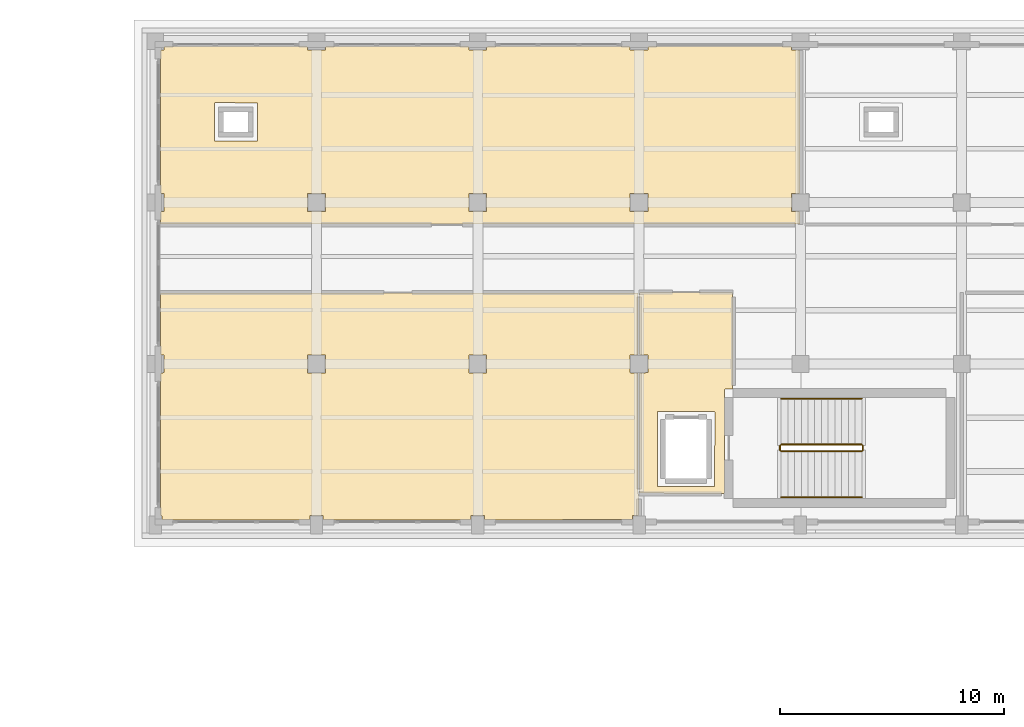
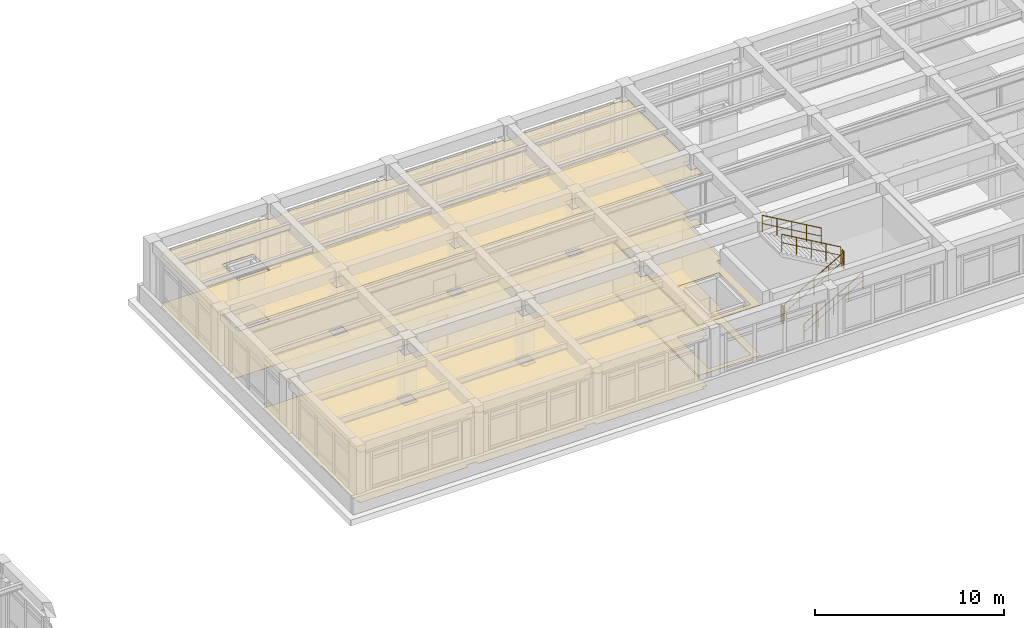
# One storey, part 65 of 67: 6 coverings, 6 railings.
"""IFC4 building model written with IfcOpenShell, lengths in metres."""

import ifcopenshell
import ifcopenshell.guid

model = None  # the IFC model being written
_history = None  # IfcOwnerHistory: only IFC2X3 demands one
_inside = {}  # id of a spatial element -> (the spatial element, [elements in it])
_under = {}  # id of a project, library or spatial element -> (it, [spatial elements below it])
_declared = {}  # id of a project -> (the project, [libraries it declares])
_typed = {}  # id of a type object -> (the type object, [elements of that type])
_made_of = {}  # id of a material, layer set ... -> (it, [elements and type objects made of it])


def new_model(schema):
    """Start an empty IFC model of exactly this schema.

    Asked for "IFC4X3", IfcOpenShell would pick the latest addendum, in which some entities
    have other attributes; the version numbers below select the first issue.
    IFC2X3 requires an IfcOwnerHistory on every rooted entity: one is made here for all.
    """
    global model, _history
    if schema == "IFC4X3":
        model = ifcopenshell.file(schema_version=(4, 3, 0, 0))
    else:
        model = ifcopenshell.file(schema=schema)
    _inside.clear()
    _under.clear()
    _declared.clear()
    _typed.clear()
    _made_of.clear()
    _history = None
    if model.schema == "IFC2X3":
        org = make("IfcOrganization", Name="unknown")
        user = make(
            "IfcPersonAndOrganization",
            ThePerson=make("IfcPerson", FamilyName="unknown"),
            TheOrganization=org,
        )
        app = make(
            "IfcApplication",
            ApplicationDeveloper=org,
            Version="unknown",
            ApplicationFullName="unknown",
            ApplicationIdentifier="unknown",
        )
        _history = make(
            "IfcOwnerHistory",
            OwningUser=user,
            OwningApplication=app,
            ChangeAction="ADDED",
            CreationDate=0,
        )
    return model


def make(cls, **values):
    """One entity of the class cls with the attributes given. An attribute that is None is left unset."""
    return model.create_entity(
        cls, **{name: value for name, value in values.items() if value is not None}
    )


def rooted(cls, **values):
    """An entity with a GlobalId (a new one), such as an element, a storey or a relation."""
    return make(cls, GlobalId=ifcopenshell.guid.new(), OwnerHistory=_history, **values)


def si_unit(unit_type, name, prefix=None):
    """IfcSIUnit, for example si_unit("LENGTHUNIT", "METRE", prefix="MILLI")."""
    return make("IfcSIUnit", UnitType=unit_type, Prefix=prefix, Name=name)


def assignment(units):
    """IfcUnitAssignment: the units of a project."""
    return None if units is None else make("IfcUnitAssignment", Units=units)


def point(xyz):
    """IfcCartesianPoint."""
    return None if xyz is None else make("IfcCartesianPoint", Coordinates=xyz)


def direction(xyz):
    """IfcDirection."""
    return None if xyz is None else make("IfcDirection", DirectionRatios=xyz)


def frame(location, z_axis=None, x_axis=None):
    """IfcAxis2Placement3D, a coordinate frame: its origin and axes. An axis left out is left unset."""
    return make(
        "IfcAxis2Placement3D",
        Location=point(location),
        Axis=direction(z_axis),
        RefDirection=direction(x_axis),
    )


def frame_2d(location, x_axis=None):
    """IfcAxis2Placement2D, a coordinate frame in the plane: its origin and x axis."""
    return make(
        "IfcAxis2Placement2D", Location=point(location), RefDirection=direction(x_axis)
    )


def origin():
    """The frame at (0, 0, 0) with its axes left unset."""
    return frame((0.0, 0.0, 0.0))


def origin_2d():
    """The frame at (0, 0) in the plane with its x axis left unset."""
    return frame_2d((0.0, 0.0))


def place(relative_to, where):
    """IfcLocalPlacement: puts the frame where relative to a parent placement (None: the world)."""
    return make(
        "IfcLocalPlacement", PlacementRelTo=relative_to, RelativePlacement=where
    )


def context(
    kind, dimensions, precision=None, world=None, true_north=None, identifier=None
):
    """IfcGeometricRepresentationContext, for example the 3D "Model" context."""
    return make(
        "IfcGeometricRepresentationContext",
        ContextIdentifier=identifier,
        ContextType=kind,
        CoordinateSpaceDimension=dimensions,
        Precision=precision,
        WorldCoordinateSystem=world,
        TrueNorth=true_north,
    )


def subcontext(parent, identifier, kind, view, scale=None):
    """IfcGeometricRepresentationSubContext, for example "Body" below "Model"."""
    return make(
        "IfcGeometricRepresentationSubContext",
        ContextIdentifier=identifier,
        ContextType=kind,
        ParentContext=parent,
        TargetScale=scale,
        TargetView=view,
    )


def project(units=None, contexts=None):
    """IfcProject with its units and contexts."""
    return rooted(
        "IfcProject",
        Name="project",
        RepresentationContexts=contexts,
        UnitsInContext=assignment(units),
    )


def spatial(cls, under=None, at=None, **own):
    """A site, building, storey or space (cls), placed at a placement, below another one or the project."""
    s = rooted(cls, ObjectPlacement=at, **own)
    if under is not None:
        _under.setdefault(under.id(), (under, []))[1].append(s)
    return s


def polyline(points):
    """IfcPolyline through the points."""
    return make("IfcPolyline", Points=[point(p) for p in points])


def profile(cls, at=None, kind="AREA", **sizes):
    """A parametric profile (cls). Its sizes go by their IFC names, for example OverallWidth=200.0."""
    return make(cls, ProfileType=kind, Position=at, **sizes)


def circle(**sizes):
    """IfcCircleProfileDef."""
    return profile("IfcCircleProfileDef", **sizes)


def outline(outer, holes=None, kind="AREA"):
    """IfcArbitraryClosedProfileDef: a profile drawn as a closed curve; with holes, ...WithVoids."""
    if holes is None:
        return make("IfcArbitraryClosedProfileDef", ProfileType=kind, OuterCurve=outer)
    return make(
        "IfcArbitraryProfileDefWithVoids",
        ProfileType=kind,
        OuterCurve=outer,
        InnerCurves=holes,
    )


def extrude(swept, where, along, depth):
    """IfcExtrudedAreaSolid: the profile swept, set in the frame where, extruded along a direction by depth."""
    return make(
        "IfcExtrudedAreaSolid",
        SweptArea=swept,
        Position=where,
        ExtrudedDirection=direction(along),
        Depth=depth,
    )


def shape(context_of_items, identifier, shape_type, items):
    """IfcShapeRepresentation: the items that make up one representation, for example the "Body"."""
    return make(
        "IfcShapeRepresentation",
        ContextOfItems=context_of_items,
        RepresentationIdentifier=identifier,
        RepresentationType=shape_type,
        Items=items,
    )


def material(Name=None, Category=None):
    """IfcMaterial."""
    return make("IfcMaterial", Name=Name, Category=Category)


def layer(
    of_material, thickness, ventilated=None, Name=None, Category=None, Priority=None
):
    """IfcMaterialLayer: one layer of a wall or slab, of a material (None: an air gap)."""
    return make(
        "IfcMaterialLayer",
        Material=of_material,
        LayerThickness=thickness,
        IsVentilated=ventilated,
        Name=Name,
        Category=Category,
        Priority=Priority,
    )


def layer_set(layers, Name=None):
    """IfcMaterialLayerSet."""
    return make("IfcMaterialLayerSet", MaterialLayers=layers, LayerSetName=Name)


def made_of(thing, what):
    """Note that an element or type object is made of a material, layer set ...; save() writes the relation."""
    if what is not None:
        _made_of.setdefault(what.id(), (what, []))[1].append(thing)
    return thing


def type_object(cls, material=None, **own):
    """A type object (cls), such as IfcWallType, which elements share."""
    return made_of(rooted(cls, **own), material)


def element(
    cls,
    number,
    at=None,
    inside=None,
    cuts=None,
    type_object=None,
    material=None,
    context=None,
    identifier="Body",
    shape_type=None,
    held_by="IfcProductDefinitionShape",
    body=None,
    shapes=None,
    **own,
):
    """One element of the class cls, such as IfcWall. Its Tag is "e" and its number.

    at: its placement. inside: the storey or other place that contains it. cuts: it is an
    opening in that element (IfcRelVoidsElement). A single representation is given by context,
    identifier, shape_type and body (its items); several are given by shapes. held_by: the class
    of the entity that holds the representations. save() writes the other relations.
    """
    e = rooted(cls, Tag="e%d" % number, ObjectPlacement=at, **own)
    if body is not None:
        shapes = [shape(context, identifier, shape_type, body)]
    if shapes is not None:
        e.Representation = make(held_by, Representations=shapes)
    if inside is not None:
        _inside.setdefault(inside.id(), (inside, []))[1].append(e)
    if cuts is not None:
        rooted(
            "IfcRelVoidsElement", RelatingBuildingElement=cuts, RelatedOpeningElement=e
        )
    if type_object is not None:
        _typed.setdefault(type_object.id(), (type_object, []))[1].append(e)
    return made_of(e, material)


def aggregate(whole, parts):
    """IfcRelAggregates: a whole, such as a stair, and the parts it consists of."""
    return rooted("IfcRelAggregates", RelatingObject=whole, RelatedObjects=parts)


def save(model, path):
    """Write the relations noted so far, then the file.

    IfcRelAggregates (storeys below a building ...), IfcRelContainedInSpatialStructure (elements
    in a storey), IfcRelDefinesByType, IfcRelAssociatesMaterial and IfcRelDeclares: one each for
    every whole, place, type object, material and project.
    """
    for whole, parts in _under.values():
        aggregate(whole, parts)
    for where, things in _inside.values():
        rooted(
            "IfcRelContainedInSpatialStructure",
            RelatedElements=things,
            RelatingStructure=where,
        )
    for kind, things in _typed.values():
        rooted("IfcRelDefinesByType", RelatedObjects=things, RelatingType=kind)
    for what, things in _made_of.values():
        rooted("IfcRelAssociatesMaterial", RelatedObjects=things, RelatingMaterial=what)
    for by, libraries in _declared.values():
        rooted("IfcRelDeclares", RelatingContext=by, RelatedDefinitions=libraries)
    model.write(path)


model = new_model("IFC4")

# Units and contexts
model_context = context("Model", 3, precision=1e-05, world=origin(), true_north=direction((0.0, 1.0)))
body_context = subcontext(model_context, "Body", "Model", "MODEL_VIEW")
ifc_project = project(units=[si_unit("LENGTHUNIT", "METRE"), si_unit("AREAUNIT", "SQUARE_METRE"), si_unit("VOLUMEUNIT", "CUBIC_METRE"), si_unit("PLANEANGLEUNIT", "RADIAN"), si_unit("MASSUNIT", "GRAM", prefix="KILO")], contexts=[model_context])

# Site, building, storey
site_placement = place(None, origin())
site = spatial("IfcSite", under=ifc_project, at=site_placement, CompositionType="ELEMENT")
building_placement = place(site_placement, origin())
building = spatial("IfcBuilding", under=site, at=building_placement, Name="Solenvale Faculty of Natural Sciences", CompositionType="ELEMENT")
storey_placement = place(building_placement, frame((0.0, 0.0, 13.5)))
storey = spatial("IfcBuildingStorey", under=building, at=storey_placement, Name="L03", CompositionType="ELEMENT", Elevation=13.5)

# Coverings
ifc_material_1 = material(Name="Acoustic mineral-timber ceiling", Category="wood")
ifc_layer_1 = layer(ifc_material_1, 0.02490234375)
ifc_layer_set_1 = layer_set([ifc_layer_1], Name="Acoustic mineral-timber ceiling")
covering_type_1 = type_object("IfcCoveringType", Name="COV-CEIL-AC25", PredefinedType="CEILING", material=ifc_layer_set_1)
covering_1_placement = place(storey_placement, frame((0.0, 0.0, 3.235107421875)))
element("IfcCovering", 1, at=covering_1_placement, inside=storey, type_object=covering_type_1, Name="L03 Firefighting Lobby C4 Acoustic Ceiling", PredefinedType="CEILING", context=body_context, shape_type="SweptSolid", body=[
    extrude(outline(polyline([(104.97998046875, 99.7099609375), (104.9560546875, 99.680908203125), (104.64794921875, 99.679931640625), (104.6201171875, 99.652099609375), (104.613037109375, 95.031005859375), (104.590087890625, 95.02001953125), (100.8310546875, 95.027099609375), (100.820068359375, 95.050048828125), (100.820068359375, 100.373046875), (100.846923828125, 100.39990234375), (101.198974609375, 100.406005859375), (101.199951171875, 101.18896484375), (101.18896484375, 101.199951171875), (100.846923828125, 101.199951171875), (100.820068359375, 101.22705078125), (100.820068359375, 103.949951171875), (100.8291015625, 103.970947265625), (100.85009765625, 103.97998046875), (104.949951171875, 103.97998046875), (104.970947265625, 103.970947265625), (104.97998046875, 103.949951171875), (104.97998046875, 99.7099609375)]), holes=[polyline([(104.179931640625, 98.652099609375), (104.169921875, 98.672119140625), (104.14990234375, 98.679931640625), (101.64990234375, 98.679931640625), (101.6259765625, 98.66796875), (101.6201171875, 95.35009765625), (101.632080078125, 95.325927734375), (104.14990234375, 95.320068359375), (104.174072265625, 95.33203125), (104.179931640625, 98.652099609375)])]), origin(), (0.0, 0.0, 1.0), 0.02490234375),
])
covering_2_placement = place(storey_placement, frame((0.0, 0.0, 3.235107421875)))
element("IfcCovering", 2, at=covering_2_placement, inside=storey, type_object=covering_type_1, Name="L03 Earth Sciences Teaching Laboratory Acoustic Ceiling", PredefinedType="CEILING", context=body_context, shape_type="SweptSolid", body=[
    extrude(outline(polyline([(100.72998046875, 103.9599609375), (100.7509765625, 103.950927734375), (100.760009765625, 103.929931640625), (100.760009765625, 101.22705078125), (100.73291015625, 101.199951171875), (100.40087890625, 101.194091796875), (100.39990234375, 100.410888671875), (100.410888671875, 100.39990234375), (100.73291015625, 100.39990234375), (100.760009765625, 100.373046875), (100.760009765625, 95.0), (100.780029296875, 94.950927734375), (100.780029296875, 94.054931640625), (100.7529296875, 94.02490234375), (100.50390625, 94.02294921875), (100.5, 93.866943359375), (100.48388671875, 93.843994140625), (93.929931640625, 93.840087890625), (93.90087890625, 93.864013671875), (93.89990234375, 94.01611328125), (93.888916015625, 94.02490234375), (93.306884765625, 94.02490234375), (93.299072265625, 93.864013671875), (93.27001953125, 93.840087890625), (86.72998046875, 93.840087890625), (86.700927734375, 93.864013671875), (86.699951171875, 94.01611328125), (86.68896484375, 94.02490234375), (86.10693359375, 94.02490234375), (86.09912109375, 93.864013671875), (86.070068359375, 93.840087890625), (79.530029296875, 93.840087890625), (79.50390625, 93.85595703125), (79.5, 94.01806640625), (79.452880859375, 94.030029296875), (79.43994140625, 94.054931640625), (79.43994140625, 100.3701171875), (79.464111328125, 100.39892578125), (79.60009765625, 100.407958984375), (79.60009765625, 101.18896484375), (79.591064453125, 101.199951171875), (79.464111328125, 101.200927734375), (79.43994140625, 101.22705078125), (79.43994140625, 103.929931640625), (79.4560546875, 103.9560546875), (100.72998046875, 103.9599609375)]), holes=[polyline([(93.2109375, 101.199951171875), (93.199951171875, 101.18896484375), (93.202880859375, 100.403076171875), (93.9970703125, 100.403076171875), (93.9970703125, 101.197021484375), (93.2109375, 101.199951171875)]), polyline([(86.010986328125, 101.199951171875), (86.0, 101.18896484375), (86.0029296875, 100.403076171875), (86.797119140625, 100.403076171875), (86.797119140625, 101.197021484375), (86.010986328125, 101.199951171875)])]), origin(), (0.0, 0.0, 1.0), 0.02490234375),
])
covering_3_placement = place(storey_placement, frame((0.0, 0.0, 3.235107421875)))
element("IfcCovering", 3, at=covering_3_placement, inside=storey, type_object=covering_type_1, Name="L03 Environmental Genomics Laboratory Acoustic Ceiling", PredefinedType="CEILING", context=body_context, shape_type="SweptSolid", body=[
    extrude(outline(polyline([(85.969970703125, 114.9599609375), (85.9990234375, 114.93896484375), (86.0, 114.80908203125), (86.010986328125, 114.800048828125), (86.7919921875, 114.800048828125), (86.801025390625, 114.93603515625), (86.830078125, 114.9599609375), (93.169921875, 114.9599609375), (93.198974609375, 114.93896484375), (93.199951171875, 114.80908203125), (93.2109375, 114.800048828125), (93.991943359375, 114.800048828125), (94.0009765625, 114.93603515625), (94.030029296875, 114.9599609375), (100.3701171875, 114.9599609375), (100.39892578125, 114.93896484375), (100.39990234375, 114.80908203125), (100.410888671875, 114.800048828125), (101.19189453125, 114.800048828125), (101.200927734375, 114.93603515625), (101.22998046875, 114.9599609375), (107.5810546875, 114.9580078125), (107.59912109375, 114.93603515625), (107.60595703125, 114.801025390625), (107.952880859375, 114.800048828125), (107.97998046875, 114.77294921875), (107.97998046875, 108.427001953125), (107.952880859375, 108.39990234375), (107.611083984375, 108.39990234375), (107.60009765625, 108.388916015625), (107.60009765625, 107.60693359375), (107.952880859375, 107.60009765625), (107.97509765625, 107.5869140625), (107.97802734375, 107.05908203125), (107.949951171875, 107.0400390625), (79.450927734375, 107.047119140625), (79.43994140625, 107.070068359375), (79.44091796875, 107.5791015625), (79.464111328125, 107.59912109375), (79.591064453125, 107.60009765625), (79.60009765625, 107.60888671875), (79.60009765625, 108.388916015625), (79.591064453125, 108.39990234375), (79.4609375, 108.40087890625), (79.43994140625, 108.429931640625), (79.447021484375, 114.7890625), (79.467041015625, 114.800048828125), (79.596923828125, 114.802978515625), (79.60107421875, 114.93603515625), (79.6298828125, 114.9599609375), (85.969970703125, 114.9599609375)]), holes=[polyline([(100.410888671875, 108.39990234375), (100.39990234375, 108.388916015625), (100.403076171875, 107.60302734375), (101.197021484375, 107.60302734375), (101.197021484375, 108.39697265625), (100.410888671875, 108.39990234375)]), polyline([(93.2109375, 108.39990234375), (93.199951171875, 108.388916015625), (93.202880859375, 107.60302734375), (93.9970703125, 107.60302734375), (93.9970703125, 108.39697265625), (93.2109375, 108.39990234375)]), polyline([(86.010986328125, 108.39990234375), (86.0, 108.388916015625), (86.0029296875, 107.60302734375), (86.797119140625, 107.60302734375), (86.797119140625, 108.39697265625), (86.010986328125, 108.39990234375)]), polyline([(83.73193359375, 110.739990234375), (83.751953125, 110.75), (83.760009765625, 110.77001953125), (83.760009765625, 112.429931640625), (83.75, 112.451904296875), (81.8701171875, 112.4599609375), (81.847900390625, 112.449951171875), (81.840087890625, 110.77001953125), (81.85009765625, 110.748046875), (83.73193359375, 110.739990234375)])]), origin(), (0.0, 0.0, 1.0), 0.02490234375),
])
ifc_material_2 = material(Name="Polished slate terrazzo flooring", Category="masonry")
ifc_layer_2 = layer(ifc_material_2, 0.01806640625)
ifc_layer_set_2 = layer_set([ifc_layer_2], Name="Polished slate terrazzo flooring")
covering_type_2 = type_object("IfcCoveringType", Name="COV-FLR-TRZ18", PredefinedType="FLOORING", material=ifc_layer_set_2)
covering_4_placement = place(storey_placement, origin())
element("IfcCovering", 4, at=covering_4_placement, inside=storey, type_object=covering_type_2, Name="L03 Firefighting Lobby C4 Floor Finish", PredefinedType="FLOORING", context=body_context, shape_type="SweptSolid", body=[
    extrude(outline(polyline([(104.97998046875, 99.7099609375), (104.9560546875, 99.680908203125), (104.64794921875, 99.679931640625), (104.6201171875, 99.652099609375), (104.613037109375, 95.031005859375), (104.590087890625, 95.02001953125), (100.8310546875, 95.027099609375), (100.820068359375, 95.050048828125), (100.820068359375, 100.373046875), (100.846923828125, 100.39990234375), (101.198974609375, 100.406005859375), (101.199951171875, 101.18896484375), (101.18896484375, 101.199951171875), (100.846923828125, 101.199951171875), (100.820068359375, 101.22705078125), (100.820068359375, 103.949951171875), (100.8291015625, 103.970947265625), (100.85009765625, 103.97998046875), (104.949951171875, 103.97998046875), (104.970947265625, 103.970947265625), (104.97998046875, 103.949951171875), (104.97998046875, 99.7099609375)]), holes=[polyline([(104.179931640625, 98.652099609375), (104.169921875, 98.672119140625), (104.14990234375, 98.679931640625), (101.64990234375, 98.679931640625), (101.6259765625, 98.66796875), (101.6201171875, 95.35009765625), (101.632080078125, 95.325927734375), (104.14990234375, 95.320068359375), (104.174072265625, 95.33203125), (104.179931640625, 98.652099609375)])]), origin(), (0.0, 0.0, 1.0), 0.01806640625),
])
ifc_material_3 = material(Name="Seamless laboratory vinyl flooring")
ifc_layer_3 = layer(ifc_material_3, 0.008056640625)
ifc_layer_set_3 = layer_set([ifc_layer_3], Name="Seamless laboratory vinyl flooring")
covering_type_3 = type_object("IfcCoveringType", Name="COV-FLR-VNL08", PredefinedType="FLOORING", material=ifc_layer_set_3)
covering_5_placement = place(storey_placement, origin())
element("IfcCovering", 5, at=covering_5_placement, inside=storey, type_object=covering_type_3, Name="L03 Earth Sciences Teaching Laboratory Floor Finish", PredefinedType="FLOORING", context=body_context, shape_type="SweptSolid", body=[
    extrude(outline(polyline([(100.72998046875, 103.9599609375), (100.7509765625, 103.950927734375), (100.760009765625, 103.929931640625), (100.760009765625, 101.22705078125), (100.73291015625, 101.199951171875), (100.40087890625, 101.194091796875), (100.39990234375, 100.410888671875), (100.410888671875, 100.39990234375), (100.73291015625, 100.39990234375), (100.760009765625, 100.373046875), (100.760009765625, 95.0), (100.780029296875, 94.950927734375), (100.780029296875, 94.054931640625), (100.7529296875, 94.02490234375), (100.50390625, 94.02294921875), (100.5, 93.866943359375), (100.48388671875, 93.843994140625), (93.929931640625, 93.840087890625), (93.90087890625, 93.864013671875), (93.89990234375, 94.01611328125), (93.888916015625, 94.02490234375), (93.306884765625, 94.02490234375), (93.299072265625, 93.864013671875), (93.27001953125, 93.840087890625), (86.72998046875, 93.840087890625), (86.700927734375, 93.864013671875), (86.699951171875, 94.01611328125), (86.68896484375, 94.02490234375), (86.10693359375, 94.02490234375), (86.09912109375, 93.864013671875), (86.070068359375, 93.840087890625), (79.530029296875, 93.840087890625), (79.50390625, 93.85595703125), (79.5, 94.01806640625), (79.452880859375, 94.030029296875), (79.43994140625, 94.054931640625), (79.43994140625, 100.3701171875), (79.464111328125, 100.39892578125), (79.60009765625, 100.407958984375), (79.60009765625, 101.18896484375), (79.591064453125, 101.199951171875), (79.464111328125, 101.200927734375), (79.43994140625, 101.22705078125), (79.43994140625, 103.929931640625), (79.4560546875, 103.9560546875), (100.72998046875, 103.9599609375)]), holes=[polyline([(93.2109375, 101.199951171875), (93.199951171875, 101.18896484375), (93.202880859375, 100.403076171875), (93.9970703125, 100.403076171875), (93.9970703125, 101.197021484375), (93.2109375, 101.199951171875)]), polyline([(86.010986328125, 101.199951171875), (86.0, 101.18896484375), (86.0029296875, 100.403076171875), (86.797119140625, 100.403076171875), (86.797119140625, 101.197021484375), (86.010986328125, 101.199951171875)])]), origin(), (0.0, 0.0, 1.0), 0.008056640625),
])
covering_6_placement = place(storey_placement, origin())
element("IfcCovering", 6, at=covering_6_placement, inside=storey, type_object=covering_type_3, Name="L03 Environmental Genomics Laboratory Floor Finish", PredefinedType="FLOORING", context=body_context, shape_type="SweptSolid", body=[
    extrude(outline(polyline([(85.969970703125, 114.9599609375), (85.9990234375, 114.93896484375), (86.0, 114.80908203125), (86.010986328125, 114.800048828125), (86.7919921875, 114.800048828125), (86.801025390625, 114.93603515625), (86.830078125, 114.9599609375), (93.169921875, 114.9599609375), (93.198974609375, 114.93896484375), (93.199951171875, 114.80908203125), (93.2109375, 114.800048828125), (93.991943359375, 114.800048828125), (94.0009765625, 114.93603515625), (94.030029296875, 114.9599609375), (100.3701171875, 114.9599609375), (100.39892578125, 114.93896484375), (100.39990234375, 114.80908203125), (100.410888671875, 114.800048828125), (101.19189453125, 114.800048828125), (101.200927734375, 114.93603515625), (101.22998046875, 114.9599609375), (107.5810546875, 114.9580078125), (107.59912109375, 114.93603515625), (107.60595703125, 114.801025390625), (107.952880859375, 114.800048828125), (107.97998046875, 114.77294921875), (107.97998046875, 108.427001953125), (107.952880859375, 108.39990234375), (107.611083984375, 108.39990234375), (107.60009765625, 108.388916015625), (107.60009765625, 107.60693359375), (107.952880859375, 107.60009765625), (107.97509765625, 107.5869140625), (107.97802734375, 107.05908203125), (107.949951171875, 107.0400390625), (79.450927734375, 107.047119140625), (79.43994140625, 107.070068359375), (79.44091796875, 107.5791015625), (79.464111328125, 107.59912109375), (79.591064453125, 107.60009765625), (79.60009765625, 107.60888671875), (79.60009765625, 108.388916015625), (79.591064453125, 108.39990234375), (79.4609375, 108.40087890625), (79.43994140625, 108.429931640625), (79.447021484375, 114.7890625), (79.467041015625, 114.800048828125), (79.596923828125, 114.802978515625), (79.60107421875, 114.93603515625), (79.6298828125, 114.9599609375), (85.969970703125, 114.9599609375)]), holes=[polyline([(100.410888671875, 108.39990234375), (100.39990234375, 108.388916015625), (100.403076171875, 107.60302734375), (101.197021484375, 107.60302734375), (101.197021484375, 108.39697265625), (100.410888671875, 108.39990234375)]), polyline([(93.2109375, 108.39990234375), (93.199951171875, 108.388916015625), (93.202880859375, 107.60302734375), (93.9970703125, 107.60302734375), (93.9970703125, 108.39697265625), (93.2109375, 108.39990234375)]), polyline([(86.010986328125, 108.39990234375), (86.0, 108.388916015625), (86.0029296875, 107.60302734375), (86.797119140625, 107.60302734375), (86.797119140625, 108.39697265625), (86.010986328125, 108.39990234375)]), polyline([(83.73193359375, 110.739990234375), (83.751953125, 110.75), (83.760009765625, 110.77001953125), (83.760009765625, 112.429931640625), (83.75, 112.451904296875), (81.8701171875, 112.4599609375), (81.847900390625, 112.449951171875), (81.840087890625, 110.77001953125), (81.85009765625, 110.748046875), (83.73193359375, 110.739990234375)])]), origin(), (0.0, 0.0, 1.0), 0.008056640625),
])

# Railings
ifc_material_4 = material(Name="Stainless steel Grade 304", Category="steel")
railing_type_1 = type_object("IfcRailingType", Name="RL-GRD-1100", PredefinedType="GUARDRAIL", material=ifc_material_4)
railing_1_placement = place(storey_placement, frame((107.139892578125, 96.89990234375, 0.173095703125)))
element("IfcRailing", 7, at=railing_1_placement, inside=storey, type_object=railing_type_1, Name="L03 ST-04 stair guard 1", PredefinedType="GUARDRAIL", context=body_context, shape_type="SweptSolid", body=[
    extrude(circle(Radius=0.02392578125, at=origin_2d()), frame((0.0, 0.0, 1.09619140625), z_axis=(0.866193409371, 0.0, 0.499708892819), x_axis=(0.0, 1.0, 0.0)), (0.0, 0.0, 1.0), 4.15625),
    extrude(circle(Radius=0.01611328125, at=origin_2d()), frame((0.0, 0.0, 0.56005859375), z_axis=(0.866193409371, 0.0, 0.499708892819), x_axis=(0.0, 1.0, 0.0)), (0.0, 0.0, 1.0), 4.15625),
    extrude(circle(Radius=0.02099609375, at=origin_2d()), origin(), (0.0, 0.0, 1.0), 1.072021484375),
    extrude(circle(Radius=0.02099609375, at=origin_2d()), frame((0.89990234375, 0.0, 0.519287109375)), (0.0, 0.0, 1.0), 1.072021484375),
    extrude(circle(Radius=0.02099609375, at=origin_2d()), frame((1.800048828125, 0.0, 1.03857421875)), (0.0, 0.0, 1.0), 1.072021484375),
    extrude(circle(Radius=0.02099609375, at=origin_2d()), frame((2.7001953125, 0.0, 1.5576171875)), (0.0, 0.0, 1.0), 1.072021484375),
    extrude(circle(Radius=0.02099609375, at=origin_2d()), frame((3.60009765625, 0.0, 2.076904296875)), (0.0, 0.0, 1.0), 1.072021484375),
])
railing_2_placement = place(storey_placement, frame((110.7900390625, 96.949951171875, 2.25)))
element("IfcRailing", 8, at=railing_2_placement, inside=storey, type_object=railing_type_1, Name="L03 ST-04 stair guard 2", PredefinedType="GUARDRAIL", context=body_context, shape_type="SweptSolid", body=[
    extrude(circle(Radius=0.02392578125, at=origin_2d()), frame((0.0, 0.0, 1.09619140625), z_axis=(0.0, 1.0, 0.0), x_axis=(-1.0, 0.0, 0.0)), (0.0, 0.0, 1.0), 0.199951171875),
    extrude(circle(Radius=0.01611328125, at=origin_2d()), frame((0.0, 0.0, 0.56005859375), z_axis=(0.0, 1.0, 0.0), x_axis=(-1.0, 0.0, 0.0)), (0.0, 0.0, 1.0), 0.199951171875),
    extrude(circle(Radius=0.02099609375, at=origin_2d()), origin(), (0.0, 0.0, 1.0), 1.072021484375),
    extrude(circle(Radius=0.02099609375, at=origin_2d()), frame((0.0, 0.199951171875, 0.0)), (0.0, 0.0, 1.0), 1.072021484375),
])
railing_3_placement = place(storey_placement, frame((110.739990234375, 97.199951171875, 2.423095703125)))
element("IfcRailing", 9, at=railing_3_placement, inside=storey, type_object=railing_type_1, Name="L03 ST-04 stair guard 3", PredefinedType="GUARDRAIL", context=body_context, shape_type="SweptSolid", body=[
    extrude(circle(Radius=0.02392578125, at=origin_2d()), frame((0.0, 0.0, 1.09619140625), z_axis=(-0.866193409371, 0.0, 0.499708892819), x_axis=(0.0, -1.0, 0.0)), (0.0, 0.0, 1.0), 4.15625),
    extrude(circle(Radius=0.01611328125, at=origin_2d()), frame((0.0, 0.0, 0.56005859375), z_axis=(-0.866193409371, 0.0, 0.499708892819), x_axis=(0.0, -1.0, 0.0)), (0.0, 0.0, 1.0), 4.15625),
    extrude(circle(Radius=0.02099609375, at=origin_2d()), origin(), (0.0, 0.0, 1.0), 1.072021484375),
    extrude(circle(Radius=0.02099609375, at=origin_2d()), frame((-0.89990234375, 0.0, 0.519287109375)), (0.0, 0.0, 1.0), 1.072021484375),
    extrude(circle(Radius=0.02099609375, at=origin_2d()), frame((-1.800048828125, 0.0, 1.03857421875)), (0.0, 0.0, 1.0), 1.072021484375),
    extrude(circle(Radius=0.02099609375, at=origin_2d()), frame((-2.7001953125, 0.0, 1.5576171875)), (0.0, 0.0, 1.0), 1.072021484375),
    extrude(circle(Radius=0.02099609375, at=origin_2d()), frame((-3.60009765625, 0.0, 2.076904296875)), (0.0, 0.0, 1.0), 1.072021484375),
])
railing_4_placement = place(storey_placement, frame((107.090087890625, 96.949951171875, 0.0)))
element("IfcRailing", 10, at=railing_4_placement, inside=storey, type_object=railing_type_1, Name="L03 ST-04 stair guard 4", PredefinedType="GUARDRAIL", context=body_context, shape_type="SweptSolid", body=[
    extrude(circle(Radius=0.02392578125, at=origin_2d()), frame((0.0, 0.0, 1.09619140625), z_axis=(0.0, 1.0, 0.0), x_axis=(-1.0, 0.0, 0.0)), (0.0, 0.0, 1.0), 0.199951171875),
    extrude(circle(Radius=0.01611328125, at=origin_2d()), frame((0.0, 0.0, 0.56005859375), z_axis=(0.0, 1.0, 0.0), x_axis=(-1.0, 0.0, 0.0)), (0.0, 0.0, 1.0), 0.199951171875),
    extrude(circle(Radius=0.02099609375, at=origin_2d()), origin(), (0.0, 0.0, 1.0), 1.072021484375),
    extrude(circle(Radius=0.02099609375, at=origin_2d()), frame((0.0, 0.199951171875, 0.0)), (0.0, 0.0, 1.0), 1.072021484375),
])
railing_type_2 = type_object("IfcRailingType", Name="RL-HND-900", PredefinedType="HANDRAIL", material=ifc_material_4)
railing_5_placement = place(storey_placement, frame((107.139892578125, 94.85009765625, 0.173095703125)))
element("IfcRailing", 11, at=railing_5_placement, inside=storey, type_object=railing_type_2, Name="L03 ST-04 stair handrail 1", PredefinedType="HANDRAIL", context=body_context, shape_type="SweptSolid", body=[
    extrude(circle(Radius=0.02392578125, at=origin_2d()), frame((0.0, 0.0, 1.0732421875), z_axis=(0.866193409371, 0.0, 0.499708892819), x_axis=(0.0, 1.0, 0.0)), (0.0, 0.0, 1.0), 4.15625),
    extrude(circle(Radius=0.01611328125, at=origin_2d()), frame((0.0, 0.0, 0.548583984375), z_axis=(0.866193409371, 0.0, 0.499708892819), x_axis=(0.0, 1.0, 0.0)), (0.0, 0.0, 1.0), 4.15625),
    extrude(circle(Radius=0.02099609375, at=origin_2d()), origin(), (0.0, 0.0, 1.0), 1.049072265625),
    extrude(circle(Radius=0.02099609375, at=origin_2d()), frame((0.89990234375, 0.0, 0.519287109375)), (0.0, 0.0, 1.0), 1.049072265625),
    extrude(circle(Radius=0.02099609375, at=origin_2d()), frame((1.800048828125, 0.0, 1.03857421875)), (0.0, 0.0, 1.0), 1.049072265625),
    extrude(circle(Radius=0.02099609375, at=origin_2d()), frame((2.7001953125, 0.0, 1.5576171875)), (0.0, 0.0, 1.0), 1.049072265625),
    extrude(circle(Radius=0.02099609375, at=origin_2d()), frame((3.60009765625, 0.0, 2.076904296875)), (0.0, 0.0, 1.0), 1.049072265625),
])
railing_6_placement = place(storey_placement, frame((110.739990234375, 99.25, 2.423095703125)))
element("IfcRailing", 12, at=railing_6_placement, inside=storey, type_object=railing_type_2, Name="L03 ST-04 stair handrail 2", PredefinedType="HANDRAIL", context=body_context, shape_type="SweptSolid", body=[
    extrude(circle(Radius=0.02392578125, at=origin_2d()), frame((0.0, 0.0, 1.0732421875), z_axis=(-0.866193409371, 0.0, 0.499708892819), x_axis=(0.0, -1.0, 0.0)), (0.0, 0.0, 1.0), 4.15625),
    extrude(circle(Radius=0.01611328125, at=origin_2d()), frame((0.0, 0.0, 0.548583984375), z_axis=(-0.866193409371, 0.0, 0.499708892819), x_axis=(0.0, -1.0, 0.0)), (0.0, 0.0, 1.0), 4.15625),
    extrude(circle(Radius=0.02099609375, at=origin_2d()), origin(), (0.0, 0.0, 1.0), 1.049072265625),
    extrude(circle(Radius=0.02099609375, at=origin_2d()), frame((-0.89990234375, 0.0, 0.519287109375)), (0.0, 0.0, 1.0), 1.049072265625),
    extrude(circle(Radius=0.02099609375, at=origin_2d()), frame((-1.800048828125, 0.0, 1.03857421875)), (0.0, 0.0, 1.0), 1.049072265625),
    extrude(circle(Radius=0.02099609375, at=origin_2d()), frame((-2.7001953125, 0.0, 1.5576171875)), (0.0, 0.0, 1.0), 1.049072265625),
    extrude(circle(Radius=0.02099609375, at=origin_2d()), frame((-3.60009765625, 0.0, 2.076904296875)), (0.0, 0.0, 1.0), 1.049072265625),
])

save(model, "model.ifc")
